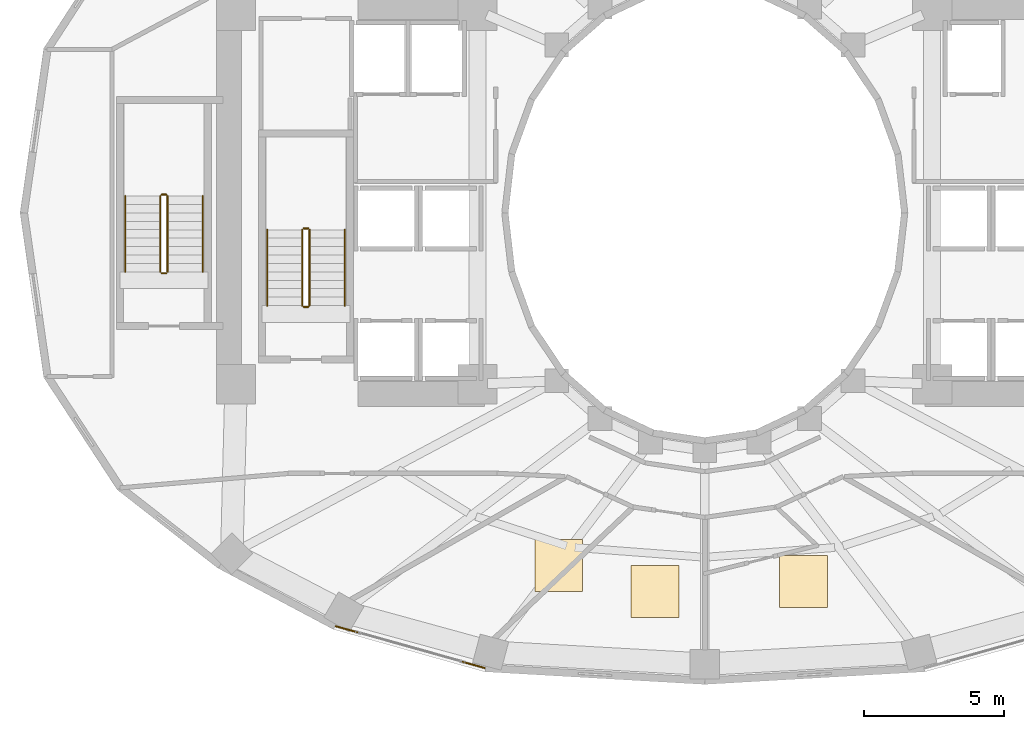
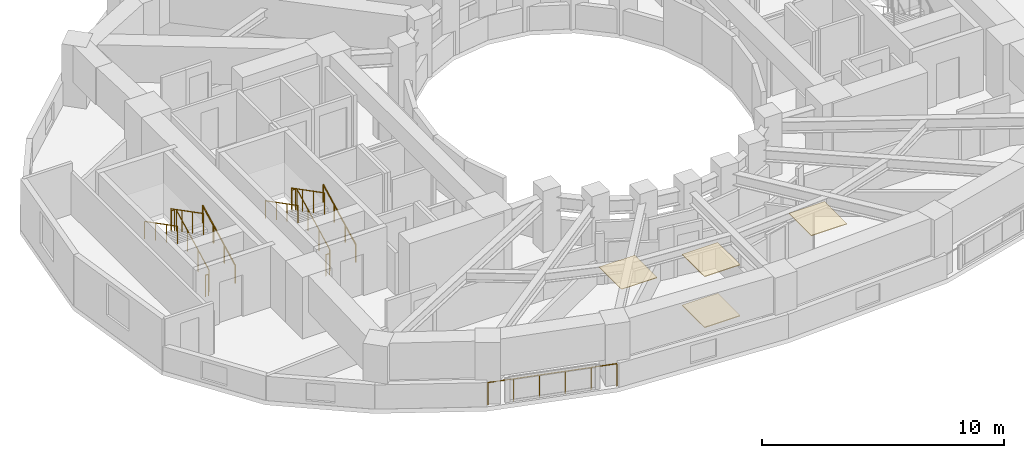
# One storey, part 14 of 16: 13 railings, 4 coverings.
"""IFC4 building model written with IfcOpenShell, lengths in metres."""

import ifcopenshell
import ifcopenshell.guid

model = None  # the IFC model being written
_history = None  # IfcOwnerHistory: only IFC2X3 demands one
_inside = {}  # id of a spatial element -> (the spatial element, [elements in it])
_under = {}  # id of a project, library or spatial element -> (it, [spatial elements below it])
_declared = {}  # id of a project -> (the project, [libraries it declares])
_typed = {}  # id of a type object -> (the type object, [elements of that type])
_made_of = {}  # id of a material, layer set ... -> (it, [elements and type objects made of it])


def new_model(schema):
    """Start an empty IFC model of exactly this schema.

    Asked for "IFC4X3", IfcOpenShell would pick the latest addendum, in which some entities
    have other attributes; the version numbers below select the first issue.
    IFC2X3 requires an IfcOwnerHistory on every rooted entity: one is made here for all.
    """
    global model, _history
    if schema == "IFC4X3":
        model = ifcopenshell.file(schema_version=(4, 3, 0, 0))
    else:
        model = ifcopenshell.file(schema=schema)
    _inside.clear()
    _under.clear()
    _declared.clear()
    _typed.clear()
    _made_of.clear()
    _history = None
    if model.schema == "IFC2X3":
        org = make("IfcOrganization", Name="unknown")
        user = make(
            "IfcPersonAndOrganization",
            ThePerson=make("IfcPerson", FamilyName="unknown"),
            TheOrganization=org,
        )
        app = make(
            "IfcApplication",
            ApplicationDeveloper=org,
            Version="unknown",
            ApplicationFullName="unknown",
            ApplicationIdentifier="unknown",
        )
        _history = make(
            "IfcOwnerHistory",
            OwningUser=user,
            OwningApplication=app,
            ChangeAction="ADDED",
            CreationDate=0,
        )
    return model


def make(cls, **values):
    """One entity of the class cls with the attributes given. An attribute that is None is left unset."""
    return model.create_entity(
        cls, **{name: value for name, value in values.items() if value is not None}
    )


def rooted(cls, **values):
    """An entity with a GlobalId (a new one), such as an element, a storey or a relation."""
    return make(cls, GlobalId=ifcopenshell.guid.new(), OwnerHistory=_history, **values)


def si_unit(unit_type, name, prefix=None):
    """IfcSIUnit, for example si_unit("LENGTHUNIT", "METRE", prefix="MILLI")."""
    return make("IfcSIUnit", UnitType=unit_type, Prefix=prefix, Name=name)


def assignment(units):
    """IfcUnitAssignment: the units of a project."""
    return None if units is None else make("IfcUnitAssignment", Units=units)


def point(xyz):
    """IfcCartesianPoint."""
    return None if xyz is None else make("IfcCartesianPoint", Coordinates=xyz)


def direction(xyz):
    """IfcDirection."""
    return None if xyz is None else make("IfcDirection", DirectionRatios=xyz)


def frame(location, z_axis=None, x_axis=None):
    """IfcAxis2Placement3D, a coordinate frame: its origin and axes. An axis left out is left unset."""
    return make(
        "IfcAxis2Placement3D",
        Location=point(location),
        Axis=direction(z_axis),
        RefDirection=direction(x_axis),
    )


def frame_2d(location, x_axis=None):
    """IfcAxis2Placement2D, a coordinate frame in the plane: its origin and x axis."""
    return make(
        "IfcAxis2Placement2D", Location=point(location), RefDirection=direction(x_axis)
    )


def origin():
    """The frame at (0, 0, 0) with its axes left unset."""
    return frame((0.0, 0.0, 0.0))


def origin_2d():
    """The frame at (0, 0) in the plane with its x axis left unset."""
    return frame_2d((0.0, 0.0))


def place(relative_to, where):
    """IfcLocalPlacement: puts the frame where relative to a parent placement (None: the world)."""
    return make(
        "IfcLocalPlacement", PlacementRelTo=relative_to, RelativePlacement=where
    )


def context(
    kind, dimensions, precision=None, world=None, true_north=None, identifier=None
):
    """IfcGeometricRepresentationContext, for example the 3D "Model" context."""
    return make(
        "IfcGeometricRepresentationContext",
        ContextIdentifier=identifier,
        ContextType=kind,
        CoordinateSpaceDimension=dimensions,
        Precision=precision,
        WorldCoordinateSystem=world,
        TrueNorth=true_north,
    )


def subcontext(parent, identifier, kind, view, scale=None):
    """IfcGeometricRepresentationSubContext, for example "Body" below "Model"."""
    return make(
        "IfcGeometricRepresentationSubContext",
        ContextIdentifier=identifier,
        ContextType=kind,
        ParentContext=parent,
        TargetScale=scale,
        TargetView=view,
    )


def project(units=None, contexts=None):
    """IfcProject with its units and contexts."""
    return rooted(
        "IfcProject",
        Name="project",
        RepresentationContexts=contexts,
        UnitsInContext=assignment(units),
    )


def spatial(cls, under=None, at=None, **own):
    """A site, building, storey or space (cls), placed at a placement, below another one or the project."""
    s = rooted(cls, ObjectPlacement=at, **own)
    if under is not None:
        _under.setdefault(under.id(), (under, []))[1].append(s)
    return s


def polyline(points):
    """IfcPolyline through the points."""
    return make("IfcPolyline", Points=[point(p) for p in points])


def profile(cls, at=None, kind="AREA", **sizes):
    """A parametric profile (cls). Its sizes go by their IFC names, for example OverallWidth=200.0."""
    return make(cls, ProfileType=kind, Position=at, **sizes)


def circle(**sizes):
    """IfcCircleProfileDef."""
    return profile("IfcCircleProfileDef", **sizes)


def outline(outer, holes=None, kind="AREA"):
    """IfcArbitraryClosedProfileDef: a profile drawn as a closed curve; with holes, ...WithVoids."""
    if holes is None:
        return make("IfcArbitraryClosedProfileDef", ProfileType=kind, OuterCurve=outer)
    return make(
        "IfcArbitraryProfileDefWithVoids",
        ProfileType=kind,
        OuterCurve=outer,
        InnerCurves=holes,
    )


def extrude(swept, where, along, depth):
    """IfcExtrudedAreaSolid: the profile swept, set in the frame where, extruded along a direction by depth."""
    return make(
        "IfcExtrudedAreaSolid",
        SweptArea=swept,
        Position=where,
        ExtrudedDirection=direction(along),
        Depth=depth,
    )


def shape(context_of_items, identifier, shape_type, items):
    """IfcShapeRepresentation: the items that make up one representation, for example the "Body"."""
    return make(
        "IfcShapeRepresentation",
        ContextOfItems=context_of_items,
        RepresentationIdentifier=identifier,
        RepresentationType=shape_type,
        Items=items,
    )


def material(Name=None, Category=None):
    """IfcMaterial."""
    return make("IfcMaterial", Name=Name, Category=Category)


def layer(
    of_material, thickness, ventilated=None, Name=None, Category=None, Priority=None
):
    """IfcMaterialLayer: one layer of a wall or slab, of a material (None: an air gap)."""
    return make(
        "IfcMaterialLayer",
        Material=of_material,
        LayerThickness=thickness,
        IsVentilated=ventilated,
        Name=Name,
        Category=Category,
        Priority=Priority,
    )


def layer_set(layers, Name=None):
    """IfcMaterialLayerSet."""
    return make("IfcMaterialLayerSet", MaterialLayers=layers, LayerSetName=Name)


def made_of(thing, what):
    """Note that an element or type object is made of a material, layer set ...; save() writes the relation."""
    if what is not None:
        _made_of.setdefault(what.id(), (what, []))[1].append(thing)
    return thing


def type_object(cls, material=None, **own):
    """A type object (cls), such as IfcWallType, which elements share."""
    return made_of(rooted(cls, **own), material)


def element(
    cls,
    number,
    at=None,
    inside=None,
    cuts=None,
    type_object=None,
    material=None,
    context=None,
    identifier="Body",
    shape_type=None,
    held_by="IfcProductDefinitionShape",
    body=None,
    shapes=None,
    **own,
):
    """One element of the class cls, such as IfcWall. Its Tag is "e" and its number.

    at: its placement. inside: the storey or other place that contains it. cuts: it is an
    opening in that element (IfcRelVoidsElement). A single representation is given by context,
    identifier, shape_type and body (its items); several are given by shapes. held_by: the class
    of the entity that holds the representations. save() writes the other relations.
    """
    e = rooted(cls, Tag="e%d" % number, ObjectPlacement=at, **own)
    if body is not None:
        shapes = [shape(context, identifier, shape_type, body)]
    if shapes is not None:
        e.Representation = make(held_by, Representations=shapes)
    if inside is not None:
        _inside.setdefault(inside.id(), (inside, []))[1].append(e)
    if cuts is not None:
        rooted(
            "IfcRelVoidsElement", RelatingBuildingElement=cuts, RelatedOpeningElement=e
        )
    if type_object is not None:
        _typed.setdefault(type_object.id(), (type_object, []))[1].append(e)
    return made_of(e, material)


def aggregate(whole, parts):
    """IfcRelAggregates: a whole, such as a stair, and the parts it consists of."""
    return rooted("IfcRelAggregates", RelatingObject=whole, RelatedObjects=parts)


def save(model, path):
    """Write the relations noted so far, then the file.

    IfcRelAggregates (storeys below a building ...), IfcRelContainedInSpatialStructure (elements
    in a storey), IfcRelDefinesByType, IfcRelAssociatesMaterial and IfcRelDeclares: one each for
    every whole, place, type object, material and project.
    """
    for whole, parts in _under.values():
        aggregate(whole, parts)
    for where, things in _inside.values():
        rooted(
            "IfcRelContainedInSpatialStructure",
            RelatedElements=things,
            RelatingStructure=where,
        )
    for kind, things in _typed.values():
        rooted("IfcRelDefinesByType", RelatedObjects=things, RelatingType=kind)
    for what, things in _made_of.values():
        rooted("IfcRelAssociatesMaterial", RelatedObjects=things, RelatingMaterial=what)
    for by, libraries in _declared.values():
        rooted("IfcRelDeclares", RelatingContext=by, RelatedDefinitions=libraries)
    model.write(path)


model = new_model("IFC4")

# Units and contexts
model_context = context("Model", 3, precision=1e-05, world=origin(), true_north=direction((0.0, 1.0)))
body_context = subcontext(model_context, "Body", "Model", "MODEL_VIEW")
ifc_project = project(units=[si_unit("LENGTHUNIT", "METRE"), si_unit("AREAUNIT", "SQUARE_METRE"), si_unit("VOLUMEUNIT", "CUBIC_METRE"), si_unit("PLANEANGLEUNIT", "RADIAN"), si_unit("MASSUNIT", "GRAM", prefix="KILO")], contexts=[model_context])

# Site, building, storey
site_placement = place(None, origin())
site = spatial("IfcSite", under=ifc_project, at=site_placement, CompositionType="ELEMENT")
building_placement = place(site_placement, origin())
building = spatial("IfcBuilding", under=site, at=building_placement, Name="Solvane Sanctuary Tower", CompositionType="ELEMENT")
storey_placement = place(building_placement, frame((0.0, 0.0, 82.5)))
storey = spatial("IfcBuildingStorey", under=building, at=storey_placement, Name="L24", CompositionType="ELEMENT", Elevation=82.5)

# Coverings
ifc_material_1 = material(Name="Acoustic Gypsum Partition Board")
ifc_layer_1 = layer(ifc_material_1, 0.02490234375, Name="Acoustic Gypsum Partition Board")
ifc_layer_set_1 = layer_set([ifc_layer_1], Name="Acoustic Gypsum Partition Board")
covering_type_1 = type_object("IfcCoveringType", Name="Covering CLG-ACOUST", PredefinedType="CEILING", material=ifc_layer_set_1)
covering_1_placement = place(storey_placement, frame((0.0, 0.0, 2.570068359375)))
element("IfcCovering", 1, at=covering_1_placement, inside=storey, type_object=covering_type_1, Name="L24 Unit Acoustic Ceiling Panel 2", PredefinedType="CEILING", context=body_context, shape_type="SweptSolid", body=[
    extrude(outline(polyline([(25.946044921875, 9.510009765625), (27.64599609375, 9.510009765625), (27.64599609375, 11.360107421875), (25.946044921875, 11.360107421875), (25.946044921875, 9.510009765625)])), origin(), (0.0, 0.0, 1.0), 0.030029296875),
])
covering_2_placement = place(storey_placement, frame((0.0, 0.0, 2.570068359375)))
element("IfcCovering", 2, at=covering_2_placement, inside=storey, type_object=covering_type_1, Name="L24 Unit Acoustic Ceiling Panel 3", PredefinedType="CEILING", context=body_context, shape_type="SweptSolid", body=[
    extrude(outline(polyline([(29.375, 8.591064453125), (31.074951171875, 8.591064453125), (31.074951171875, 10.44091796875), (29.375, 10.44091796875), (29.375, 8.591064453125)])), origin(), (0.0, 0.0, 1.0), 0.030029296875),
])
covering_3_placement = place(storey_placement, frame((0.0, 0.0, 2.570068359375)))
element("IfcCovering", 3, at=covering_3_placement, inside=storey, type_object=covering_type_1, Name="L24 Unit Acoustic Ceiling Panel 4", PredefinedType="CEILING", context=body_context, shape_type="SweptSolid", body=[
    extrude(outline(polyline([(34.669921875, 8.93798828125), (36.3701171875, 8.93798828125), (36.3701171875, 10.7880859375), (34.669921875, 10.7880859375), (34.669921875, 8.93798828125)])), origin(), (0.0, 0.0, 1.0), 0.030029296875),
])
ifc_material_2 = material(Name="Ceramic Tile Finish")
ifc_layer_2 = layer(ifc_material_2, 0.030029296875, Name="Ceramic Tile Finish")
ifc_layer_set_2 = layer_set([ifc_layer_2], Name="Ceramic Tile Finish")
covering_type_2 = type_object("IfcCoveringType", Name="Covering FLR-TERRAZZO", PredefinedType="FLOORING", material=ifc_layer_set_2)
covering_4_placement = place(storey_placement, origin())
element("IfcCovering", 4, at=covering_4_placement, inside=storey, type_object=covering_type_2, Name="L24 Unit Terrazzo Inlay 3", PredefinedType="FLOORING", context=body_context, shape_type="SweptSolid", body=[
    extrude(outline(polyline([(29.375, 8.591064453125), (31.074951171875, 8.591064453125), (31.074951171875, 10.44091796875), (29.375, 10.44091796875), (29.375, 8.591064453125)])), origin(), (0.0, 0.0, 1.0), 0.034912109375),
])

# Railings
ifc_material_3 = material(Name="Architectural Stainless Steel 316", Category="steel")
railing_type_1 = type_object("IfcRailingType", Name="Railing GR-BALC-1150", PredefinedType="BALUSTRADE", material=ifc_material_3)
railing_1_placement = place(storey_placement, frame((18.855712890625, 8.2705078125, 0.0)))
element("IfcRailing", 5, at=railing_1_placement, inside=storey, type_object=railing_type_1, Name="L24 Curtain-Wall Perimeter Sill Guard 16", PredefinedType="BALUSTRADE", context=body_context, shape_type="SweptSolid", body=[
    extrude(circle(Radius=0.02392578125, at=origin_2d()), frame((0.0, 0.0, 1.1259765625), z_axis=(0.96295710783, -0.269654609601, 0.0), x_axis=(0.269654609601, 0.96295710783, 0.0)), (0.0, 0.0, 1.0), 5.5029296875),
    extrude(circle(Radius=0.02099609375, at=origin_2d()), origin(), (0.0, 0.0, 1.0), 1.101806640625),
    extrude(circle(Radius=0.02099609375, at=origin_2d()), frame((1.059814453125, -0.296875, 0.0)), (0.0, 0.0, 1.0), 1.101806640625),
    extrude(circle(Radius=0.02099609375, at=origin_2d()), frame((2.11962890625, -0.593505859375, 0.0)), (0.0, 0.0, 1.0), 1.101806640625),
    extrude(circle(Radius=0.02099609375, at=origin_2d()), frame((3.179443359375, -0.890380859375, 0.0)), (0.0, 0.0, 1.0), 1.101806640625),
    extrude(circle(Radius=0.02099609375, at=origin_2d()), frame((4.2392578125, -1.18701171875, 0.0)), (0.0, 0.0, 1.0), 1.101806640625),
    extrude(circle(Radius=0.02099609375, at=origin_2d()), frame((5.299072265625, -1.48388671875, 0.0)), (0.0, 0.0, 1.0), 1.101806640625),
])
railing_2_placement = place(storey_placement, frame((17.919921875, 19.699951171875, 0.155029296875)))
element("IfcRailing", 6, at=railing_2_placement, inside=storey, type_object=railing_type_1, Name="L24 ST-1 stair guard 1", PredefinedType="BALUSTRADE", context=body_context, shape_type="SweptSolid", body=[
    extrude(circle(Radius=0.02392578125, at=origin_2d()), frame((0.0, 0.0, 1.076171875), z_axis=(0.0, 0.888419900624, 0.459031676658), x_axis=(-1.0, 0.0, 0.0)), (0.0, 0.0, 1.0), 3.0390625),
    extrude(circle(Radius=0.02099609375, at=origin_2d()), origin(), (0.0, 0.0, 1.0), 1.052001953125),
    extrude(circle(Radius=0.02099609375, at=origin_2d()), frame((0.0, 0.89990234375, 0.465087890625)), (0.0, 0.0, 1.0), 1.052001953125),
    extrude(circle(Radius=0.02099609375, at=origin_2d()), frame((0.0, 1.800048828125, 0.929931640625)), (0.0, 0.0, 1.0), 1.052001953125),
    extrude(circle(Radius=0.02099609375, at=origin_2d()), frame((0.0, 2.699951171875, 1.39501953125)), (0.0, 0.0, 1.0), 1.052001953125),
])
railing_3_placement = place(storey_placement, frame((17.8701171875, 22.449951171875, 1.550048828125)))
element("IfcRailing", 7, at=railing_3_placement, inside=storey, type_object=railing_type_1, Name="L24 ST-1 stair guard 2", PredefinedType="BALUSTRADE", context=body_context, shape_type="SweptSolid", body=[
    extrude(circle(Radius=0.02392578125, at=origin_2d()), frame((0.0, 0.0, 1.076171875), z_axis=(-1.0, 0.0, 0.0), x_axis=(0.0, -1.0, 0.0)), (0.0, 0.0, 1.0), 0.16015625),
    extrude(circle(Radius=0.02099609375, at=origin_2d()), origin(), (0.0, 0.0, 1.0), 1.052001953125),
    extrude(circle(Radius=0.02099609375, at=origin_2d()), frame((-0.16015625, 0.0, 0.0)), (0.0, 0.0, 1.0), 1.052001953125),
])
railing_4_placement = place(storey_placement, frame((17.659912109375, 22.39990234375, 1.705078125)))
element("IfcRailing", 8, at=railing_4_placement, inside=storey, type_object=railing_type_1, Name="L24 ST-1 stair guard 3", PredefinedType="BALUSTRADE", context=body_context, shape_type="SweptSolid", body=[
    extrude(circle(Radius=0.02392578125, at=origin_2d()), frame((0.0, 0.0, 1.076171875), z_axis=(0.0, -0.888419900624, 0.459031676658), x_axis=(1.0, 0.0, 0.0)), (0.0, 0.0, 1.0), 3.0390625),
    extrude(circle(Radius=0.02099609375, at=origin_2d()), origin(), (0.0, 0.0, 1.0), 1.052001953125),
    extrude(circle(Radius=0.02099609375, at=origin_2d()), frame((0.0, -0.89990234375, 0.465087890625)), (0.0, 0.0, 1.0), 1.052001953125),
    extrude(circle(Radius=0.02099609375, at=origin_2d()), frame((0.0, -1.800048828125, 0.929931640625)), (0.0, 0.0, 1.0), 1.052001953125),
    extrude(circle(Radius=0.02099609375, at=origin_2d()), frame((0.0, -2.699951171875, 1.39501953125)), (0.0, 0.0, 1.0), 1.052001953125),
])
railing_5_placement = place(storey_placement, frame((17.8701171875, 19.64990234375, 0.0)))
element("IfcRailing", 9, at=railing_5_placement, inside=storey, type_object=railing_type_1, Name="L24 ST-1 stair guard 4", PredefinedType="BALUSTRADE", context=body_context, shape_type="SweptSolid", body=[
    extrude(circle(Radius=0.02392578125, at=origin_2d()), frame((0.0, 0.0, 1.076171875), z_axis=(-1.0, 0.0, 0.0), x_axis=(0.0, -1.0, 0.0)), (0.0, 0.0, 1.0), 0.16015625),
    extrude(circle(Radius=0.02099609375, at=origin_2d()), origin(), (0.0, 0.0, 1.0), 1.052001953125),
    extrude(circle(Radius=0.02099609375, at=origin_2d()), frame((-0.16015625, 0.0, 0.0)), (0.0, 0.0, 1.0), 1.052001953125),
])
railing_6_placement = place(storey_placement, frame((12.860107421875, 20.89990234375, 0.155029296875)))
element("IfcRailing", 10, at=railing_6_placement, inside=storey, type_object=railing_type_1, Name="L24 ST-3 stair guard 1", PredefinedType="BALUSTRADE", context=body_context, shape_type="SweptSolid", body=[
    extrude(circle(Radius=0.02392578125, at=origin_2d()), frame((0.0, 0.0, 1.076171875), z_axis=(0.0, 0.888436826113, 0.458998917216), x_axis=(-1.0, 0.0, 0.0)), (0.0, 0.0, 1.0), 3.039306640625),
    extrude(circle(Radius=0.02099609375, at=origin_2d()), origin(), (0.0, 0.0, 1.0), 1.052001953125),
    extrude(circle(Radius=0.02099609375, at=origin_2d()), frame((0.0, 0.900146484375, 0.465087890625)), (0.0, 0.0, 1.0), 1.052001953125),
    extrude(circle(Radius=0.02099609375, at=origin_2d()), frame((0.0, 1.800048828125, 0.929931640625)), (0.0, 0.0, 1.0), 1.052001953125),
    extrude(circle(Radius=0.02099609375, at=origin_2d()), frame((0.0, 2.7001953125, 1.39501953125)), (0.0, 0.0, 1.0), 1.052001953125),
])
railing_7_placement = place(storey_placement, frame((12.81005859375, 23.64990234375, 1.550048828125)))
element("IfcRailing", 11, at=railing_7_placement, inside=storey, type_object=railing_type_1, Name="L24 ST-3 stair guard 2", PredefinedType="BALUSTRADE", context=body_context, shape_type="SweptSolid", body=[
    extrude(circle(Radius=0.02392578125, at=origin_2d()), frame((0.0, 0.0, 1.076171875), z_axis=(-1.0, 0.0, 0.0), x_axis=(0.0, -1.0, 0.0)), (0.0, 0.0, 1.0), 0.16015625),
    extrude(circle(Radius=0.02099609375, at=origin_2d()), origin(), (0.0, 0.0, 1.0), 1.052001953125),
    extrude(circle(Radius=0.02099609375, at=origin_2d()), frame((-0.16015625, 0.0, 0.0)), (0.0, 0.0, 1.0), 1.052001953125),
])
railing_8_placement = place(storey_placement, frame((12.60009765625, 23.60009765625, 1.705078125)))
element("IfcRailing", 12, at=railing_8_placement, inside=storey, type_object=railing_type_1, Name="L24 ST-3 stair guard 3", PredefinedType="BALUSTRADE", context=body_context, shape_type="SweptSolid", body=[
    extrude(circle(Radius=0.02392578125, at=origin_2d()), frame((0.0, 0.0, 1.076171875), z_axis=(0.0, -0.888436826113, 0.458998917216), x_axis=(1.0, 0.0, 0.0)), (0.0, 0.0, 1.0), 3.039306640625),
    extrude(circle(Radius=0.02099609375, at=origin_2d()), origin(), (0.0, 0.0, 1.0), 1.052001953125),
    extrude(circle(Radius=0.02099609375, at=origin_2d()), frame((0.0, -0.900146484375, 0.465087890625)), (0.0, 0.0, 1.0), 1.052001953125),
    extrude(circle(Radius=0.02099609375, at=origin_2d()), frame((0.0, -1.800048828125, 0.929931640625)), (0.0, 0.0, 1.0), 1.052001953125),
    extrude(circle(Radius=0.02099609375, at=origin_2d()), frame((0.0, -2.7001953125, 1.39501953125)), (0.0, 0.0, 1.0), 1.052001953125),
])
railing_9_placement = place(storey_placement, frame((12.81005859375, 20.85009765625, 0.0)))
element("IfcRailing", 13, at=railing_9_placement, inside=storey, type_object=railing_type_1, Name="L24 ST-3 stair guard 4", PredefinedType="BALUSTRADE", context=body_context, shape_type="SweptSolid", body=[
    extrude(circle(Radius=0.02392578125, at=origin_2d()), frame((0.0, 0.0, 1.076171875), z_axis=(-1.0, 0.0, 0.0), x_axis=(0.0, -1.0, 0.0)), (0.0, 0.0, 1.0), 0.16015625),
    extrude(circle(Radius=0.02099609375, at=origin_2d()), origin(), (0.0, 0.0, 1.0), 1.052001953125),
    extrude(circle(Radius=0.02099609375, at=origin_2d()), frame((-0.16015625, 0.0, 0.0)), (0.0, 0.0, 1.0), 1.052001953125),
])
railing_type_2 = type_object("IfcRailingType", Name="Railing HR-STAIR-920", PredefinedType="HANDRAIL", material=ifc_material_3)
railing_10_placement = place(storey_placement, frame((19.169921875, 19.699951171875, 0.155029296875)))
element("IfcRailing", 14, at=railing_10_placement, inside=storey, type_object=railing_type_2, Name="L24 ST-1 stair handrail 1", PredefinedType="HANDRAIL", context=body_context, shape_type="SweptSolid", body=[
    extrude(circle(Radius=0.02392578125, at=origin_2d()), frame((0.0, 0.0, 0.8759765625), z_axis=(0.0, 0.888419900624, 0.459031676658), x_axis=(-1.0, 0.0, 0.0)), (0.0, 0.0, 1.0), 3.0390625),
    extrude(circle(Radius=0.02099609375, at=origin_2d()), origin(), (0.0, 0.0, 1.0), 0.851806640625),
    extrude(circle(Radius=0.02099609375, at=origin_2d()), frame((0.0, 0.89990234375, 0.465087890625)), (0.0, 0.0, 1.0), 0.851806640625),
    extrude(circle(Radius=0.02099609375, at=origin_2d()), frame((0.0, 1.800048828125, 0.929931640625)), (0.0, 0.0, 1.0), 0.851806640625),
    extrude(circle(Radius=0.02099609375, at=origin_2d()), frame((0.0, 2.699951171875, 1.39501953125)), (0.0, 0.0, 1.0), 0.851806640625),
])
railing_11_placement = place(storey_placement, frame((16.409912109375, 22.39990234375, 1.705078125)))
element("IfcRailing", 15, at=railing_11_placement, inside=storey, type_object=railing_type_2, Name="L24 ST-1 stair handrail 2", PredefinedType="HANDRAIL", context=body_context, shape_type="SweptSolid", body=[
    extrude(circle(Radius=0.02392578125, at=origin_2d()), frame((0.0, 0.0, 0.8759765625), z_axis=(0.0, -0.888419900624, 0.459031676658), x_axis=(1.0, 0.0, 0.0)), (0.0, 0.0, 1.0), 3.0390625),
    extrude(circle(Radius=0.02099609375, at=origin_2d()), origin(), (0.0, 0.0, 1.0), 0.851806640625),
    extrude(circle(Radius=0.02099609375, at=origin_2d()), frame((0.0, -0.89990234375, 0.465087890625)), (0.0, 0.0, 1.0), 0.851806640625),
    extrude(circle(Radius=0.02099609375, at=origin_2d()), frame((0.0, -1.800048828125, 0.929931640625)), (0.0, 0.0, 1.0), 0.851806640625),
    extrude(circle(Radius=0.02099609375, at=origin_2d()), frame((0.0, -2.699951171875, 1.39501953125)), (0.0, 0.0, 1.0), 0.851806640625),
])
railing_12_placement = place(storey_placement, frame((14.110107421875, 20.89990234375, 0.155029296875)))
element("IfcRailing", 16, at=railing_12_placement, inside=storey, type_object=railing_type_2, Name="L24 ST-3 stair handrail 1", PredefinedType="HANDRAIL", context=body_context, shape_type="SweptSolid", body=[
    extrude(circle(Radius=0.02392578125, at=origin_2d()), frame((0.0, 0.0, 0.8759765625), z_axis=(0.0, 0.888436826113, 0.458998917216), x_axis=(-1.0, 0.0, 0.0)), (0.0, 0.0, 1.0), 3.039306640625),
    extrude(circle(Radius=0.02099609375, at=origin_2d()), origin(), (0.0, 0.0, 1.0), 0.851806640625),
    extrude(circle(Radius=0.02099609375, at=origin_2d()), frame((0.0, 0.900146484375, 0.465087890625)), (0.0, 0.0, 1.0), 0.851806640625),
    extrude(circle(Radius=0.02099609375, at=origin_2d()), frame((0.0, 1.800048828125, 0.929931640625)), (0.0, 0.0, 1.0), 0.851806640625),
    extrude(circle(Radius=0.02099609375, at=origin_2d()), frame((0.0, 2.7001953125, 1.39501953125)), (0.0, 0.0, 1.0), 0.851806640625),
])
railing_13_placement = place(storey_placement, frame((11.35009765625, 23.60009765625, 1.705078125)))
element("IfcRailing", 17, at=railing_13_placement, inside=storey, type_object=railing_type_2, Name="L24 ST-3 stair handrail 2", PredefinedType="HANDRAIL", context=body_context, shape_type="SweptSolid", body=[
    extrude(circle(Radius=0.02392578125, at=origin_2d()), frame((0.0, 0.0, 0.8759765625), z_axis=(0.0, -0.888436826113, 0.458998917216), x_axis=(1.0, 0.0, 0.0)), (0.0, 0.0, 1.0), 3.039306640625),
    extrude(circle(Radius=0.02099609375, at=origin_2d()), origin(), (0.0, 0.0, 1.0), 0.851806640625),
    extrude(circle(Radius=0.02099609375, at=origin_2d()), frame((0.0, -0.900146484375, 0.465087890625)), (0.0, 0.0, 1.0), 0.851806640625),
    extrude(circle(Radius=0.02099609375, at=origin_2d()), frame((0.0, -1.800048828125, 0.929931640625)), (0.0, 0.0, 1.0), 0.851806640625),
    extrude(circle(Radius=0.02099609375, at=origin_2d()), frame((0.0, -2.7001953125, 1.39501953125)), (0.0, 0.0, 1.0), 0.851806640625),
])

save(model, "model.ifc")
